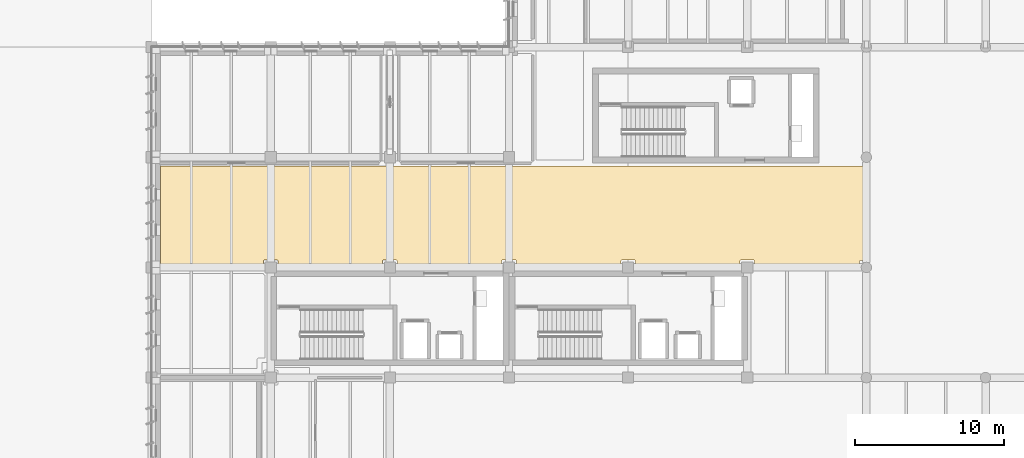
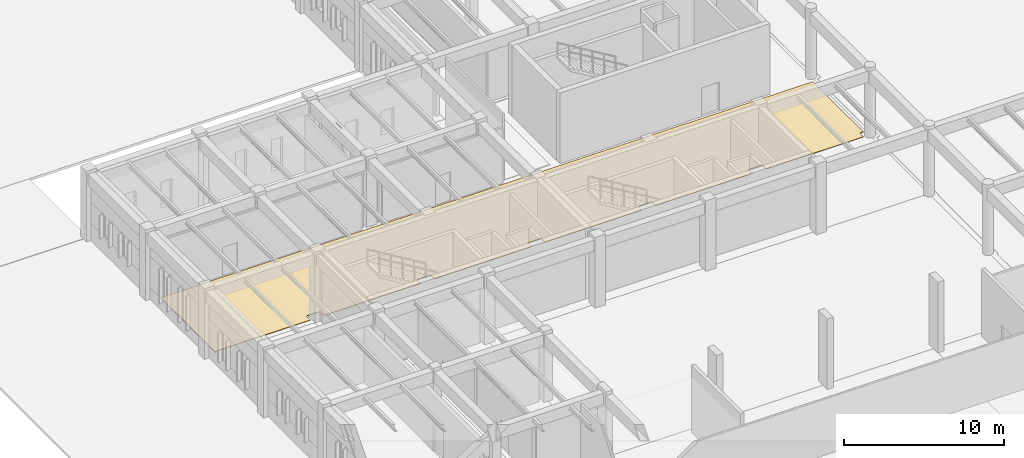
# One storey, part 38 of 56: 1 covering.
"""IFC4 building model written with IfcOpenShell, lengths in metres."""

from ifc_helpers import new_model, si_unit, direction, origin, place, context, subcontext, project, spatial, polyline, outline, extrude, material, layer, layer_set, type_object, element, save


model = new_model("IFC4")

# Units and contexts
model_context = context("Model", 3, precision=1e-05, world=origin(), true_north=direction((0.0, 1.0)))
body_context = subcontext(model_context, "Body", "Model", "MODEL_VIEW")
ifc_project = project(units=[si_unit("LENGTHUNIT", "METRE"), si_unit("AREAUNIT", "SQUARE_METRE"), si_unit("VOLUMEUNIT", "CUBIC_METRE"), si_unit("PLANEANGLEUNIT", "RADIAN"), si_unit("MASSUNIT", "GRAM", prefix="KILO")], contexts=[model_context])

# Site, building, storey
site_placement = place(None, origin())
site = spatial("IfcSite", under=ifc_project, at=site_placement, CompositionType="ELEMENT")
building_placement = place(site_placement, origin())
building = spatial("IfcBuilding", under=site, at=building_placement, Name="Valkorina Park Police Headquarters", CompositionType="ELEMENT")
storey_placement = place(building_placement, origin())
storey = spatial("IfcBuildingStorey", under=building, at=storey_placement, Name="L01", CompositionType="ELEMENT", Elevation=0.0)

# Covering
ifc_material = material(Name="Resin terrazzo flooring")
ifc_layer = layer(ifc_material, 0.030029296875)
ifc_layer_set = layer_set([ifc_layer], Name="Resin terrazzo flooring")
covering_type = type_object("IfcCoveringType", Name="COV-FLOOR-TERRAZZO", PredefinedType="FLOORING", material=ifc_layer_set)
covering_placement = place(storey_placement, origin())
element("IfcCovering", 1, at=covering_placement, inside=storey, type_object=covering_type, Name="Ground Operational Spine Corridor Terrazzo Flooring", PredefinedType="FLOORING", context=body_context, shape_type="SweptSolid", body=[
    extrude(outline(polyline([(56.60009765625, 51.199951171875), (9.39990234375, 51.199951171875), (9.39990234375, 44.39990234375), (16.304931640625, 44.39990234375), (16.304931640625, 44.81494140625), (16.305419921875, 44.82275390625), (16.306396484375, 44.83056640625), (16.308349609375, 44.838134765625), (16.31103515625, 44.845703125), (16.314453125, 44.852783203125), (16.318603515625, 44.859375), (16.3232421875, 44.86572265625), (16.328369140625, 44.87158203125), (16.334228515625, 44.876708984375), (16.340576171875, 44.881591796875), (16.347412109375, 44.885498046875), (16.3544921875, 44.888916015625), (16.36181640625, 44.8916015625), (16.369384765625, 44.8935546875), (16.377197265625, 44.89453125), (16.385009765625, 44.89501953125), (17.215087890625, 44.89501953125), (17.222900390625, 44.89453125), (17.230712890625, 44.8935546875), (17.23828125, 44.8916015625), (17.24560546875, 44.888916015625), (17.252685546875, 44.885498046875), (17.259521484375, 44.881591796875), (17.265869140625, 44.876708984375), (17.271484375, 44.87158203125), (17.27685546875, 44.86572265625), (17.281494140625, 44.859375), (17.28564453125, 44.852783203125), (17.288818359375, 44.845703125), (17.29150390625, 44.838134765625), (17.29345703125, 44.83056640625), (17.294677734375, 44.82275390625), (17.294921875, 44.81494140625), (17.294921875, 44.39990234375), (24.304931640625, 44.39990234375), (24.304931640625, 44.81494140625), (24.305419921875, 44.82275390625), (24.306396484375, 44.83056640625), (24.308349609375, 44.838134765625), (24.31103515625, 44.845703125), (24.314453125, 44.852783203125), (24.318603515625, 44.859375), (24.3232421875, 44.86572265625), (24.328369140625, 44.87158203125), (24.334228515625, 44.876708984375), (24.340576171875, 44.881591796875), (24.347412109375, 44.885498046875), (24.3544921875, 44.888916015625), (24.36181640625, 44.8916015625), (24.369384765625, 44.8935546875), (24.377197265625, 44.89453125), (24.385009765625, 44.89501953125), (25.215087890625, 44.89501953125), (25.222900390625, 44.89453125), (25.230712890625, 44.8935546875), (25.23828125, 44.8916015625), (25.24560546875, 44.888916015625), (25.252685546875, 44.885498046875), (25.259521484375, 44.881591796875), (25.265869140625, 44.876708984375), (25.271484375, 44.87158203125), (25.27685546875, 44.86572265625), (25.281494140625, 44.859375), (25.28564453125, 44.852783203125), (25.288818359375, 44.845703125), (25.29150390625, 44.838134765625), (25.29345703125, 44.83056640625), (25.294677734375, 44.82275390625), (25.294921875, 44.81494140625), (25.294921875, 44.39990234375), (32.304931640625, 44.39990234375), (32.304931640625, 44.81494140625), (32.305419921875, 44.82275390625), (32.306396484375, 44.83056640625), (32.308349609375, 44.838134765625), (32.31103515625, 44.845703125), (32.314453125, 44.852783203125), (32.318603515625, 44.859375), (32.3232421875, 44.86572265625), (32.328369140625, 44.87158203125), (32.334228515625, 44.876708984375), (32.340576171875, 44.881591796875), (32.347412109375, 44.885498046875), (32.3544921875, 44.888916015625), (32.36181640625, 44.8916015625), (32.369384765625, 44.8935546875), (32.377197265625, 44.89453125), (32.385009765625, 44.89501953125), (33.215087890625, 44.89501953125), (33.222900390625, 44.89453125), (33.230712890625, 44.8935546875), (33.23828125, 44.8916015625), (33.24560546875, 44.888916015625), (33.252685546875, 44.885498046875), (33.259521484375, 44.881591796875), (33.265869140625, 44.876708984375), (33.271484375, 44.87158203125), (33.27685546875, 44.86572265625), (33.281494140625, 44.859375), (33.28564453125, 44.852783203125), (33.288818359375, 44.845703125), (33.29150390625, 44.838134765625), (33.29345703125, 44.83056640625), (33.294677734375, 44.82275390625), (33.294921875, 44.81494140625), (33.294921875, 44.39990234375), (40.304931640625, 44.39990234375), (40.304931640625, 44.81494140625), (40.305419921875, 44.82275390625), (40.306396484375, 44.83056640625), (40.308349609375, 44.838134765625), (40.31103515625, 44.845703125), (40.314453125, 44.852783203125), (40.318603515625, 44.859375), (40.3232421875, 44.86572265625), (40.328369140625, 44.87158203125), (40.334228515625, 44.876708984375), (40.340576171875, 44.881591796875), (40.347412109375, 44.885498046875), (40.3544921875, 44.888916015625), (40.36181640625, 44.8916015625), (40.369384765625, 44.8935546875), (40.377197265625, 44.89453125), (40.385009765625, 44.89501953125), (41.215087890625, 44.89501953125), (41.222900390625, 44.89453125), (41.230712890625, 44.8935546875), (41.23828125, 44.8916015625), (41.24560546875, 44.888916015625), (41.252685546875, 44.885498046875), (41.259521484375, 44.881591796875), (41.265869140625, 44.876708984375), (41.271484375, 44.87158203125), (41.27685546875, 44.86572265625), (41.281494140625, 44.859375), (41.28564453125, 44.852783203125), (41.288818359375, 44.845703125), (41.29150390625, 44.838134765625), (41.29345703125, 44.83056640625), (41.294677734375, 44.82275390625), (41.294921875, 44.81494140625), (41.294921875, 44.39990234375), (48.304931640625, 44.39990234375), (48.304931640625, 44.81494140625), (48.305419921875, 44.82275390625), (48.306396484375, 44.83056640625), (48.308349609375, 44.838134765625), (48.31103515625, 44.845703125), (48.314453125, 44.852783203125), (48.318603515625, 44.859375), (48.3232421875, 44.86572265625), (48.328369140625, 44.87158203125), (48.334228515625, 44.876708984375), (48.340576171875, 44.881591796875), (48.347412109375, 44.885498046875), (48.3544921875, 44.888916015625), (48.36181640625, 44.8916015625), (48.369384765625, 44.8935546875), (48.377197265625, 44.89453125), (48.385009765625, 44.89501953125), (49.215087890625, 44.89501953125), (49.222900390625, 44.89453125), (49.230712890625, 44.8935546875), (49.23828125, 44.8916015625), (49.24560546875, 44.888916015625), (49.252685546875, 44.885498046875), (49.259521484375, 44.881591796875), (49.265869140625, 44.876708984375), (49.271484375, 44.87158203125), (49.27685546875, 44.86572265625), (49.281494140625, 44.859375), (49.28564453125, 44.852783203125), (49.288818359375, 44.845703125), (49.29150390625, 44.838134765625), (49.29345703125, 44.83056640625), (49.294677734375, 44.82275390625), (49.294921875, 44.81494140625), (49.294921875, 44.39990234375), (56.330078125, 44.39990234375), (56.330078125, 44.7900390625), (56.330322265625, 44.7978515625), (56.33154296875, 44.8056640625), (56.33349609375, 44.813232421875), (56.336181640625, 44.820556640625), (56.33935546875, 44.82763671875), (56.343505859375, 44.83447265625), (56.34814453125, 44.8408203125), (56.353515625, 44.8466796875), (56.359130859375, 44.851806640625), (56.365478515625, 44.8564453125), (56.372314453125, 44.860595703125), (56.37939453125, 44.864013671875), (56.38671875, 44.86669921875), (56.394287109375, 44.868408203125), (56.402099609375, 44.86962890625), (56.409912109375, 44.8701171875), (56.60009765625, 44.8701171875), (56.60009765625, 51.199951171875)])), origin(), (0.0, 0.0, 1.0), 0.030029296875),
])

save(model, "model.ifc")
